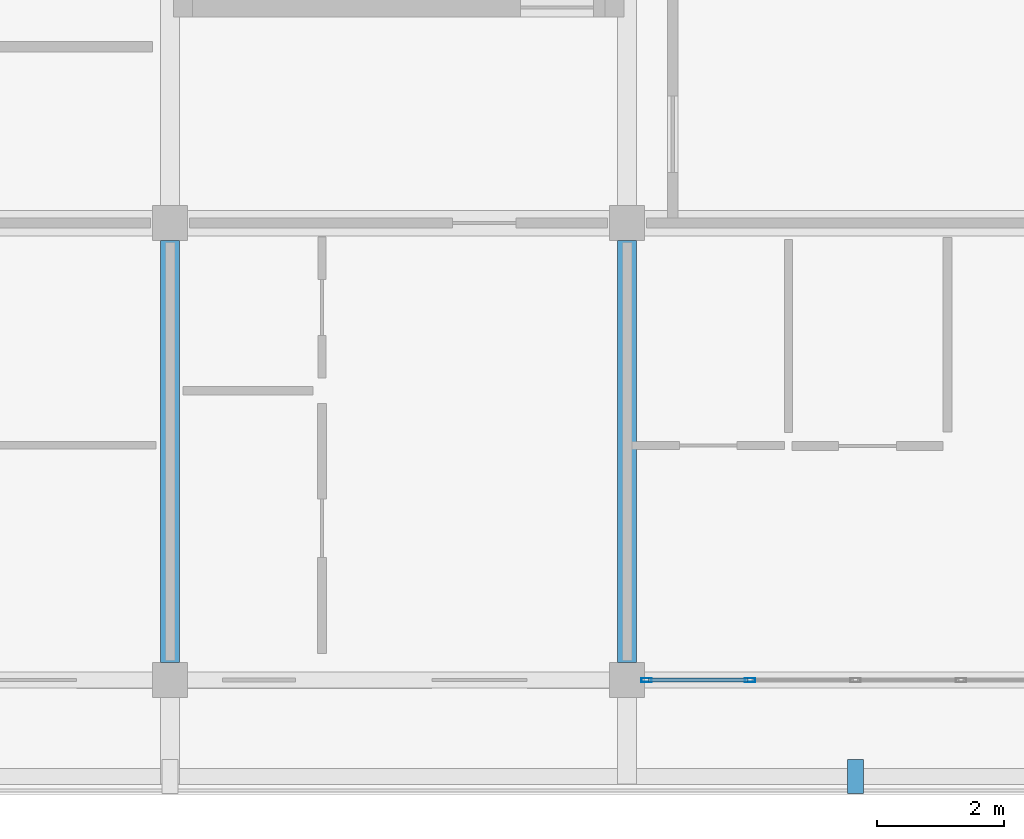
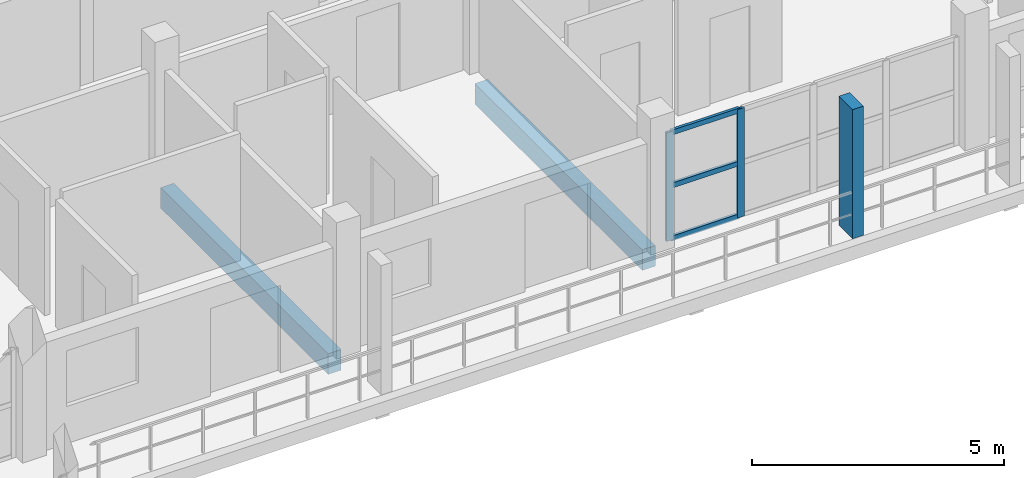
# One storey, part 19 of 60: 6 members, 2 beams, 1 element without a shape of its own.
"""IFC4 building model written with IfcOpenShell, lengths in metres."""

from ifc_helpers import new_model, si_unit, direction, frame, origin, origin_2d, place, context, subcontext, project, spatial, rectangle, hollow_rectangle, extrude, material, material_profile, profile_set, type_object, element, aggregate, save


model = new_model("IFC4")

# Units and contexts
model_context = context("Model", 3, precision=1e-05, world=origin(), true_north=direction((0.0, 1.0)))
body_context = subcontext(model_context, "Body", "Model", "MODEL_VIEW")
ifc_project = project(units=[si_unit("LENGTHUNIT", "METRE"), si_unit("AREAUNIT", "SQUARE_METRE"), si_unit("VOLUMEUNIT", "CUBIC_METRE"), si_unit("PLANEANGLEUNIT", "RADIAN"), si_unit("MASSUNIT", "GRAM", prefix="KILO")], contexts=[model_context])

# Site, building, storey
site_placement = place(None, origin())
site = spatial("IfcSite", under=ifc_project, at=site_placement, CompositionType="ELEMENT")
building_placement = place(site_placement, origin())
building = spatial("IfcBuilding", under=site, at=building_placement, Name="Suanplinth Sawtooth Commons", CompositionType="ELEMENT")
storey_placement = place(building_placement, frame((0.0, 0.0, 31.5)))
storey = spatial("IfcBuildingStorey", under=building, at=storey_placement, Name="L09", CompositionType="ELEMENT", Elevation=31.5)

# Beams
ifc_material_1 = material(Name="Precast concrete C40/50", Category="concrete")
ifc_material_profile_1 = material_profile(ifc_material_1, rectangle(XDim=0.300048828125, YDim=0.5, at=origin_2d()), Name="PC-BM 300x500")
ifc_profile_set_1 = profile_set([ifc_material_profile_1], Name="Precast concrete C40/50")
beam_type = type_object("IfcBeamType", Name="B-07", PredefinedType="BEAM", material=ifc_profile_set_1)
for number, where, z_axis, x_axis, name in (
    (1, (158.39990234375, 0.27490234375, -0.5), (0.0, 1.0, 0.0), (-1.0, 0.0, 0.0), "BMY-L09-C-22-0"),
    (2, (165.60009765625, 0.27490234375, -0.5), (0.0, 1.0, 0.0), (-1.0, 0.0, 0.0), "BMY-L09-C-23-0"),
):
    element("IfcBeam", number, at=place(storey_placement, frame(where, z_axis=z_axis, x_axis=x_axis)), inside=storey, type_object=beam_type, Name=name, PredefinedType="BEAM", context=body_context, shape_type="SweptSolid", body=[
        extrude(rectangle(XDim=0.300048828125, YDim=0.5, at=origin_2d()), origin(), (0.0, 0.0, 1.0), 6.650146484375),
    ])

# Member
ifc_material_2 = material(Name="Pigmented precast concrete C40/50", Category="concrete")
ifc_material_profile_2 = material_profile(ifc_material_2, rectangle(XDim=0.25, YDim=0.5400390625, at=origin_2d()), Name="PC-FIN 250x540")
ifc_profile_set_2 = profile_set([ifc_material_profile_2], Name="Pigmented precast concrete C40/50")
member_type_1 = type_object("IfcMemberType", Name="M-11", PredefinedType="USERDEFINED", material=ifc_profile_set_2)
member_1_placement = place(storey_placement, frame((169.199951171875, -1.52001953125, 0.0), z_axis=(0.0, 0.0, 1.0), x_axis=(1.0, 0.0, 0.0)))
element("IfcMember", 3, at=member_1_placement, inside=storey, type_object=member_type_1, Name="Upright Solar Blade L09-C-S-06", ObjectType="SHADING FIN", PredefinedType="USERDEFINED", context=body_context, shape_type="SweptSolid", body=[
    extrude(rectangle(XDim=0.25, YDim=0.5400390625, at=origin_2d()), origin(), (0.0, 0.0, 1.0), 3.1298828125),
])

# Curtain wall, members
ifc_material_3 = material(Name="Anodized aluminium and low-E glazing", Category="aluminium")
curtain_wall_type = type_object("IfcCurtainWallType", Name="CW-06", PredefinedType="USERDEFINED", material=ifc_material_3)
curtain_wall_placement = place(storey_placement, origin())
curtain_wall = element("IfcCurtainWall", 4, at=curtain_wall_placement, inside=storey, type_object=curtain_wall_type, Name="Curtain Wall CW-L09-C-LOUNGE-23", ObjectType="CURTAIN WALL", PredefinedType="USERDEFINED")
ifc_material_4 = material(Name="Anodized aluminium 6063-T6", Category="aluminium")
ifc_material_profile_3 = material_profile(ifc_material_4, hollow_rectangle(XDim=0.06494140625, YDim=0.159912109375, WallThickness=0.00390625, at=origin_2d()), Name="ALU-MUL 65x160")
ifc_profile_set_3 = profile_set([ifc_material_profile_3], Name="Anodized aluminium 6063-T6")
member_type_2 = type_object("IfcMemberType", Name="M-13", PredefinedType="MULLION", material=ifc_profile_set_3)
member_2_placement = place(storey_placement, frame((165.907470703125, 0.0, 0.0), z_axis=(0.0, 0.0, 1.0), x_axis=(0.0, 1.0, 0.0)))
member_2 = element("IfcMember", 5, at=member_2_placement, type_object=member_type_2, Name="CW-06 mullion 1", PredefinedType="MULLION", context=body_context, shape_type="SweptSolid", body=[
    extrude(hollow_rectangle(XDim=0.06494140625, YDim=0.159912109375, WallThickness=0.00390625, at=origin_2d()), origin(), (0.0, 0.0, 1.0), 2.6298828125),
])
member_3_placement = place(storey_placement, frame((167.53759765625, 0.0, 0.0), z_axis=(0.0, 0.0, 1.0), x_axis=(0.0, 1.0, 0.0)))
member_3 = element("IfcMember", 6, at=member_3_placement, type_object=member_type_2, Name="CW-06 mullion 2", PredefinedType="MULLION", context=body_context, shape_type="SweptSolid", body=[
    extrude(hollow_rectangle(XDim=0.06494140625, YDim=0.159912109375, WallThickness=0.00390625, at=origin_2d()), origin(), (0.0, 0.0, 1.0), 2.6298828125),
])
ifc_material_profile_4 = material_profile(ifc_material_4, hollow_rectangle(XDim=0.06494140625, YDim=0.1201171875, WallThickness=0.00390625, at=origin_2d()), Name="ALU-TRN 65x120")
ifc_profile_set_4 = profile_set([ifc_material_profile_4], Name="Anodized aluminium 6063-T6")
member_type_3 = type_object("IfcMemberType", Name="M-15", PredefinedType="USERDEFINED", material=ifc_profile_set_4)
member_4_placement = place(storey_placement, frame((165.93994140625, 0.0, 0.032470703125), z_axis=(1.0, 0.0, 0.0), x_axis=(0.0, 1.0, 0.0)))
member_4 = element("IfcMember", 7, at=member_4_placement, type_object=member_type_3, Name="CW-06 transom 1.1", ObjectType="TRANSOM", PredefinedType="USERDEFINED", context=body_context, shape_type="SweptSolid", body=[
    extrude(hollow_rectangle(XDim=0.06494140625, YDim=0.1201171875, WallThickness=0.00390625, at=origin_2d()), origin(), (0.0, 0.0, 1.0), 1.56494140625),
])
member_5_placement = place(storey_placement, frame((165.93994140625, 0.0, 1.31494140625), z_axis=(1.0, 0.0, 0.0), x_axis=(0.0, 1.0, 0.0)))
member_5 = element("IfcMember", 8, at=member_5_placement, type_object=member_type_3, Name="CW-06 transom 1.2", ObjectType="TRANSOM", PredefinedType="USERDEFINED", context=body_context, shape_type="SweptSolid", body=[
    extrude(hollow_rectangle(XDim=0.06494140625, YDim=0.1201171875, WallThickness=0.00390625, at=origin_2d()), origin(), (0.0, 0.0, 1.0), 1.56494140625),
])
member_6_placement = place(storey_placement, frame((165.93994140625, 0.0, 2.597412109375), z_axis=(1.0, 0.0, 0.0), x_axis=(0.0, 1.0, 0.0)))
member_6 = element("IfcMember", 9, at=member_6_placement, type_object=member_type_3, Name="CW-06 transom 1.3", ObjectType="TRANSOM", PredefinedType="USERDEFINED", context=body_context, shape_type="SweptSolid", body=[
    extrude(hollow_rectangle(XDim=0.06494140625, YDim=0.1201171875, WallThickness=0.00390625, at=origin_2d()), origin(), (0.0, 0.0, 1.0), 1.56494140625),
])
aggregate(curtain_wall, [member_2, member_3, member_4, member_5, member_6])

save(model, "model.ifc")
